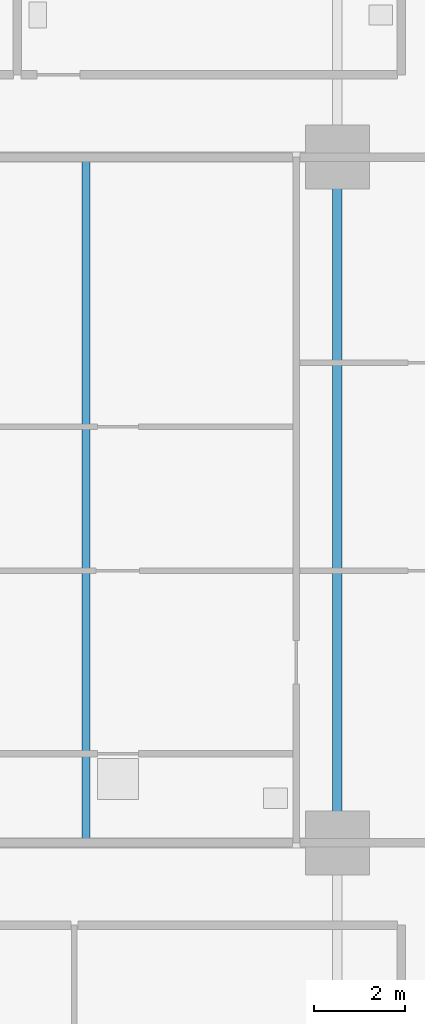
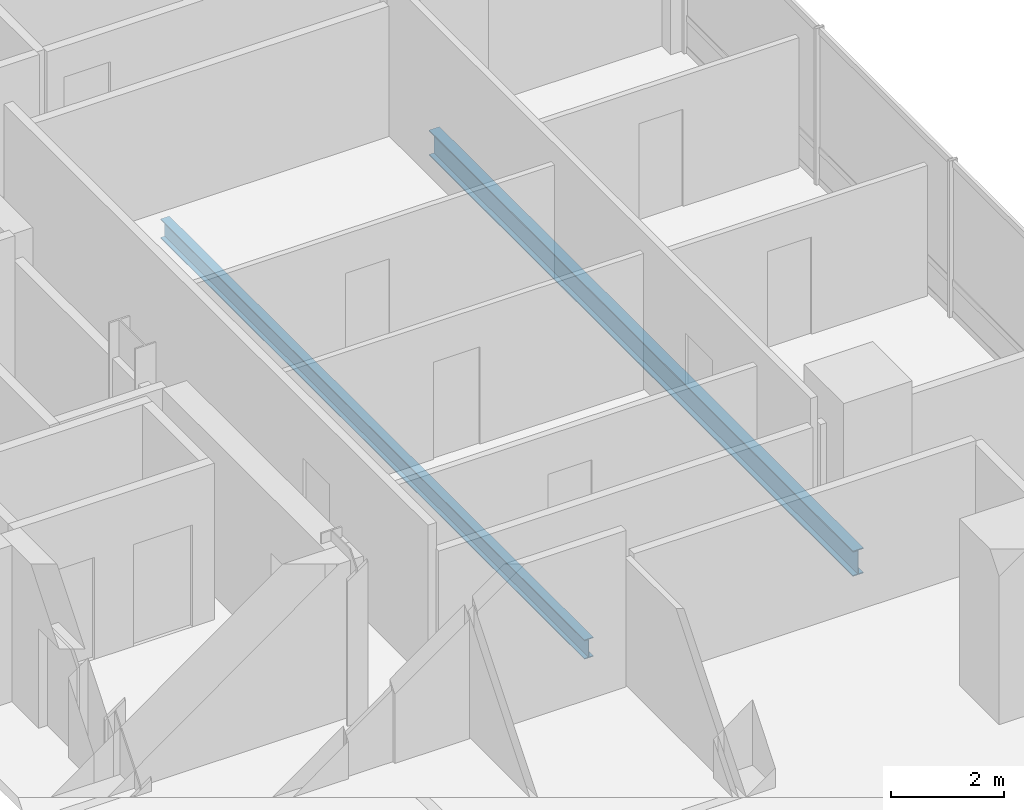
# One storey, part 9 of 23: 2 beams.
"""IFC4 building model written with IfcOpenShell, lengths in metres."""

from ifc_helpers import new_model, si_unit, direction, frame, origin, origin_2d, place, context, subcontext, project, spatial, i_section, extrude, material, material_profile, profile_set, type_object, element, save


model = new_model("IFC4")

# Units and contexts
model_context = context("Model", 3, precision=1e-05, world=origin(), true_north=direction((0.0, 1.0)))
body_context = subcontext(model_context, "Body", "Model", "MODEL_VIEW")
ifc_project = project(units=[si_unit("LENGTHUNIT", "METRE"), si_unit("AREAUNIT", "SQUARE_METRE"), si_unit("VOLUMEUNIT", "CUBIC_METRE"), si_unit("PLANEANGLEUNIT", "RADIAN"), si_unit("MASSUNIT", "GRAM", prefix="KILO")], contexts=[model_context])

# Site, building, storey
site_placement = place(None, origin())
site = spatial("IfcSite", under=ifc_project, at=site_placement, CompositionType="ELEMENT")
building_placement = place(site_placement, origin())
building = spatial("IfcBuilding", under=site, at=building_placement, Name="Barlavira Tower and Art Museum", CompositionType="ELEMENT")
storey_placement = place(building_placement, frame((0.0, 0.0, 54.0)))
storey = spatial("IfcBuildingStorey", under=building, at=storey_placement, Name="L12", CompositionType="ELEMENT", Elevation=54.0)

# Beams
ifc_material = material(Name="Steel S355", Category="steel")
ifc_material_profile_1 = material_profile(ifc_material, i_section(OverallWidth=0.180908203125, OverallDepth=0.4169921875, WebThickness=0.010986328125, FlangeThickness=0.018310546875, at=origin_2d()), Name="W410x85.0")
ifc_profile_set_1 = profile_set([ifc_material_profile_1], Name="Steel S355")
beam_type_1 = type_object("IfcBeamType", Name="Zone 1 Composite Floor Joist W410x85 Steel S355", PredefinedType="JOIST", material=ifc_profile_set_1)
beam_1_placement = place(storey_placement, frame((11.5, -7.5, -0.428466796875), z_axis=(0.0, 1.0, 0.0), x_axis=(-1.0, 0.0, 0.0)))
element("IfcBeam", 1, at=beam_1_placement, inside=storey, type_object=beam_type_1, Name="L12 Joist W2", PredefinedType="JOIST", context=body_context, shape_type="SweptSolid", body=[
    extrude(i_section(OverallWidth=0.180908203125, OverallDepth=0.4169921875, WebThickness=0.010986328125, FlangeThickness=0.018310546875, at=origin_2d()), origin(), (0.0, 0.0, 1.0), 15.0),
])
ifc_material_profile_2 = material_profile(ifc_material, i_section(OverallWidth=0.214111328125, OverallDepth=0.549072265625, WebThickness=0.0146484375, FlangeThickness=0.023681640625, at=origin_2d()), Name="W530x138.0")
ifc_profile_set_2 = profile_set([ifc_material_profile_2], Name="Steel S355")
beam_type_2 = type_object("IfcBeamType", Name="Zone 1 Primary Floor Girder W530x138 Steel S355", PredefinedType="BEAM", material=ifc_profile_set_2)
beam_2_placement = place(storey_placement, frame((17.0, -7.5, -0.494384765625), z_axis=(0.0, 1.0, 0.0), x_axis=(-1.0, 0.0, 0.0)))
element("IfcBeam", 2, at=beam_2_placement, inside=storey, type_object=beam_type_2, Name="L12 Girder M-E2", PredefinedType="BEAM", context=body_context, shape_type="SweptSolid", body=[
    extrude(i_section(OverallWidth=0.214111328125, OverallDepth=0.549072265625, WebThickness=0.0146484375, FlangeThickness=0.023681640625, at=origin_2d()), origin(), (0.0, 0.0, 1.0), 15.0),
])

save(model, "model.ifc")
